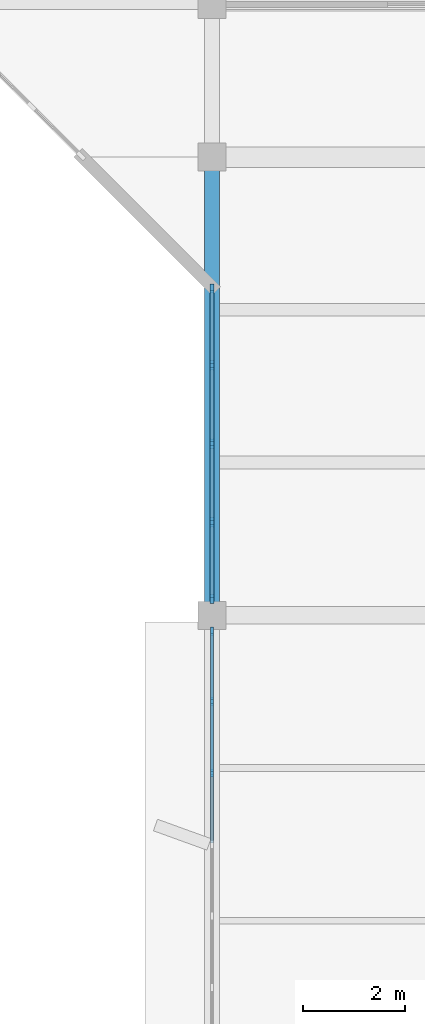
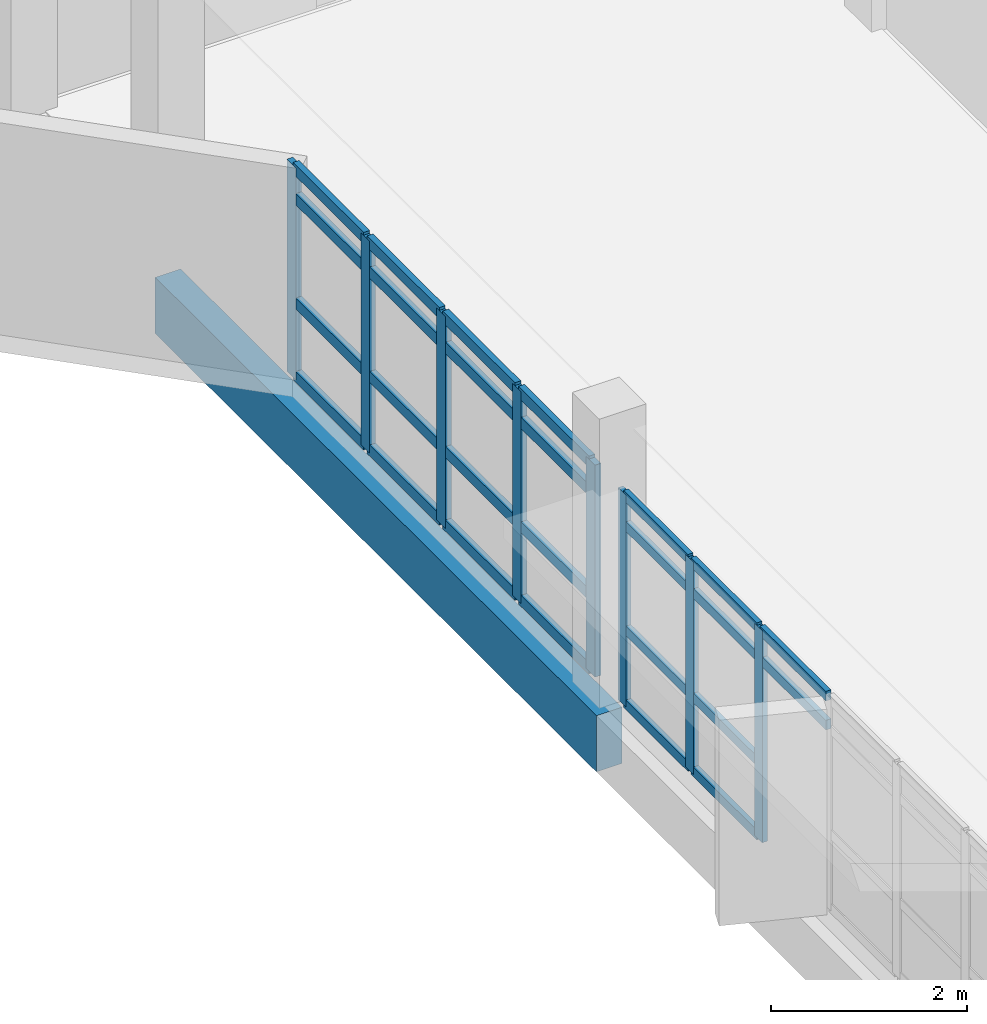
# One storey, part 8 of 51: 34 members, 1 beam, 2 elements without a shape of their own.
"""IFC4 building model written with IfcOpenShell, lengths in metres."""

import ifcopenshell
import ifcopenshell.guid

model = None  # the IFC model being written
_history = None  # IfcOwnerHistory: only IFC2X3 demands one
_inside = {}  # id of a spatial element -> (the spatial element, [elements in it])
_under = {}  # id of a project, library or spatial element -> (it, [spatial elements below it])
_declared = {}  # id of a project -> (the project, [libraries it declares])
_typed = {}  # id of a type object -> (the type object, [elements of that type])
_made_of = {}  # id of a material, layer set ... -> (it, [elements and type objects made of it])


def new_model(schema):
    """Start an empty IFC model of exactly this schema.

    Asked for "IFC4X3", IfcOpenShell would pick the latest addendum, in which some entities
    have other attributes; the version numbers below select the first issue.
    IFC2X3 requires an IfcOwnerHistory on every rooted entity: one is made here for all.
    """
    global model, _history
    if schema == "IFC4X3":
        model = ifcopenshell.file(schema_version=(4, 3, 0, 0))
    else:
        model = ifcopenshell.file(schema=schema)
    _inside.clear()
    _under.clear()
    _declared.clear()
    _typed.clear()
    _made_of.clear()
    _history = None
    if model.schema == "IFC2X3":
        org = make("IfcOrganization", Name="unknown")
        user = make(
            "IfcPersonAndOrganization",
            ThePerson=make("IfcPerson", FamilyName="unknown"),
            TheOrganization=org,
        )
        app = make(
            "IfcApplication",
            ApplicationDeveloper=org,
            Version="unknown",
            ApplicationFullName="unknown",
            ApplicationIdentifier="unknown",
        )
        _history = make(
            "IfcOwnerHistory",
            OwningUser=user,
            OwningApplication=app,
            ChangeAction="ADDED",
            CreationDate=0,
        )
    return model


def make(cls, **values):
    """One entity of the class cls with the attributes given. An attribute that is None is left unset."""
    return model.create_entity(
        cls, **{name: value for name, value in values.items() if value is not None}
    )


def rooted(cls, **values):
    """An entity with a GlobalId (a new one), such as an element, a storey or a relation."""
    return make(cls, GlobalId=ifcopenshell.guid.new(), OwnerHistory=_history, **values)


def si_unit(unit_type, name, prefix=None):
    """IfcSIUnit, for example si_unit("LENGTHUNIT", "METRE", prefix="MILLI")."""
    return make("IfcSIUnit", UnitType=unit_type, Prefix=prefix, Name=name)


def assignment(units):
    """IfcUnitAssignment: the units of a project."""
    return None if units is None else make("IfcUnitAssignment", Units=units)


def point(xyz):
    """IfcCartesianPoint."""
    return None if xyz is None else make("IfcCartesianPoint", Coordinates=xyz)


def direction(xyz):
    """IfcDirection."""
    return None if xyz is None else make("IfcDirection", DirectionRatios=xyz)


def frame(location, z_axis=None, x_axis=None):
    """IfcAxis2Placement3D, a coordinate frame: its origin and axes. An axis left out is left unset."""
    return make(
        "IfcAxis2Placement3D",
        Location=point(location),
        Axis=direction(z_axis),
        RefDirection=direction(x_axis),
    )


def frame_2d(location, x_axis=None):
    """IfcAxis2Placement2D, a coordinate frame in the plane: its origin and x axis."""
    return make(
        "IfcAxis2Placement2D", Location=point(location), RefDirection=direction(x_axis)
    )


def origin():
    """The frame at (0, 0, 0) with its axes left unset."""
    return frame((0.0, 0.0, 0.0))


def origin_2d():
    """The frame at (0, 0) in the plane with its x axis left unset."""
    return frame_2d((0.0, 0.0))


def place(relative_to, where):
    """IfcLocalPlacement: puts the frame where relative to a parent placement (None: the world)."""
    return make(
        "IfcLocalPlacement", PlacementRelTo=relative_to, RelativePlacement=where
    )


def context(
    kind, dimensions, precision=None, world=None, true_north=None, identifier=None
):
    """IfcGeometricRepresentationContext, for example the 3D "Model" context."""
    return make(
        "IfcGeometricRepresentationContext",
        ContextIdentifier=identifier,
        ContextType=kind,
        CoordinateSpaceDimension=dimensions,
        Precision=precision,
        WorldCoordinateSystem=world,
        TrueNorth=true_north,
    )


def subcontext(parent, identifier, kind, view, scale=None):
    """IfcGeometricRepresentationSubContext, for example "Body" below "Model"."""
    return make(
        "IfcGeometricRepresentationSubContext",
        ContextIdentifier=identifier,
        ContextType=kind,
        ParentContext=parent,
        TargetScale=scale,
        TargetView=view,
    )


def project(units=None, contexts=None):
    """IfcProject with its units and contexts."""
    return rooted(
        "IfcProject",
        Name="project",
        RepresentationContexts=contexts,
        UnitsInContext=assignment(units),
    )


def spatial(cls, under=None, at=None, **own):
    """A site, building, storey or space (cls), placed at a placement, below another one or the project."""
    s = rooted(cls, ObjectPlacement=at, **own)
    if under is not None:
        _under.setdefault(under.id(), (under, []))[1].append(s)
    return s


def profile(cls, at=None, kind="AREA", **sizes):
    """A parametric profile (cls). Its sizes go by their IFC names, for example OverallWidth=200.0."""
    return make(cls, ProfileType=kind, Position=at, **sizes)


def rectangle(**sizes):
    """IfcRectangleProfileDef."""
    return profile("IfcRectangleProfileDef", **sizes)


def extrude(swept, where, along, depth):
    """IfcExtrudedAreaSolid: the profile swept, set in the frame where, extruded along a direction by depth."""
    return make(
        "IfcExtrudedAreaSolid",
        SweptArea=swept,
        Position=where,
        ExtrudedDirection=direction(along),
        Depth=depth,
    )


def shape(context_of_items, identifier, shape_type, items):
    """IfcShapeRepresentation: the items that make up one representation, for example the "Body"."""
    return make(
        "IfcShapeRepresentation",
        ContextOfItems=context_of_items,
        RepresentationIdentifier=identifier,
        RepresentationType=shape_type,
        Items=items,
    )


def material(Name=None, Category=None):
    """IfcMaterial."""
    return make("IfcMaterial", Name=Name, Category=Category)


def material_profile(
    of_material, cross_section, Name=None, Category=None, Priority=None
):
    """IfcMaterialProfile: a cross section and its material."""
    return make(
        "IfcMaterialProfile",
        Name=Name,
        Material=of_material,
        Profile=cross_section,
        Priority=Priority,
        Category=Category,
    )


def profile_set(profiles, Name=None, composite=None):
    """IfcMaterialProfileSet."""
    return make(
        "IfcMaterialProfileSet",
        Name=Name,
        MaterialProfiles=profiles,
        CompositeProfile=composite,
    )


def made_of(thing, what):
    """Note that an element or type object is made of a material, layer set ...; save() writes the relation."""
    if what is not None:
        _made_of.setdefault(what.id(), (what, []))[1].append(thing)
    return thing


def type_object(cls, material=None, **own):
    """A type object (cls), such as IfcWallType, which elements share."""
    return made_of(rooted(cls, **own), material)


def element(
    cls,
    number,
    at=None,
    inside=None,
    cuts=None,
    type_object=None,
    material=None,
    context=None,
    identifier="Body",
    shape_type=None,
    held_by="IfcProductDefinitionShape",
    body=None,
    shapes=None,
    **own,
):
    """One element of the class cls, such as IfcWall. Its Tag is "e" and its number.

    at: its placement. inside: the storey or other place that contains it. cuts: it is an
    opening in that element (IfcRelVoidsElement). A single representation is given by context,
    identifier, shape_type and body (its items); several are given by shapes. held_by: the class
    of the entity that holds the representations. save() writes the other relations.
    """
    e = rooted(cls, Tag="e%d" % number, ObjectPlacement=at, **own)
    if body is not None:
        shapes = [shape(context, identifier, shape_type, body)]
    if shapes is not None:
        e.Representation = make(held_by, Representations=shapes)
    if inside is not None:
        _inside.setdefault(inside.id(), (inside, []))[1].append(e)
    if cuts is not None:
        rooted(
            "IfcRelVoidsElement", RelatingBuildingElement=cuts, RelatedOpeningElement=e
        )
    if type_object is not None:
        _typed.setdefault(type_object.id(), (type_object, []))[1].append(e)
    return made_of(e, material)


def aggregate(whole, parts):
    """IfcRelAggregates: a whole, such as a stair, and the parts it consists of."""
    return rooted("IfcRelAggregates", RelatingObject=whole, RelatedObjects=parts)


def save(model, path):
    """Write the relations noted so far, then the file.

    IfcRelAggregates (storeys below a building ...), IfcRelContainedInSpatialStructure (elements
    in a storey), IfcRelDefinesByType, IfcRelAssociatesMaterial and IfcRelDeclares: one each for
    every whole, place, type object, material and project.
    """
    for whole, parts in _under.values():
        aggregate(whole, parts)
    for where, things in _inside.values():
        rooted(
            "IfcRelContainedInSpatialStructure",
            RelatedElements=things,
            RelatingStructure=where,
        )
    for kind, things in _typed.values():
        rooted("IfcRelDefinesByType", RelatedObjects=things, RelatingType=kind)
    for what, things in _made_of.values():
        rooted("IfcRelAssociatesMaterial", RelatedObjects=things, RelatingMaterial=what)
    for by, libraries in _declared.values():
        rooted("IfcRelDeclares", RelatingContext=by, RelatedDefinitions=libraries)
    model.write(path)


model = new_model("IFC4")

# Units and contexts
model_context = context("Model", 3, precision=1e-05, world=origin(), true_north=direction((0.0, 1.0)))
body_context = subcontext(model_context, "Body", "Model", "MODEL_VIEW")
ifc_project = project(units=[si_unit("LENGTHUNIT", "METRE"), si_unit("AREAUNIT", "SQUARE_METRE"), si_unit("VOLUMEUNIT", "CUBIC_METRE"), si_unit("PLANEANGLEUNIT", "RADIAN"), si_unit("MASSUNIT", "GRAM", prefix="KILO")], contexts=[model_context])

# Site, building, storey
site_placement = place(None, origin())
site = spatial("IfcSite", under=ifc_project, at=site_placement, CompositionType="ELEMENT")
building_placement = place(site_placement, origin())
building = spatial("IfcBuilding", under=site, at=building_placement, Name="Vanh Quang Courtyard School", CompositionType="ELEMENT")
storey_placement = place(building_placement, frame((0.0, 0.0, 11.39990234375)))
storey = spatial("IfcBuildingStorey", under=building, at=storey_placement, Name="L03", CompositionType="ELEMENT", Elevation=11.39990234375)

# Beam
ifc_material_1 = material(Name="Concrete C35/45", Category="concrete")
ifc_material_profile_1 = material_profile(ifc_material_1, rectangle(XDim=0.300048828125, YDim=0.699951171875, at=origin_2d()), Name="RC-SP 300x700")
ifc_profile_set_1 = profile_set([ifc_material_profile_1], Name="Concrete C35/45")
beam_type = type_object("IfcBeamType", Name="BM-SP-300x700", PredefinedType="SPANDREL", material=ifc_profile_set_1)
beam_placement = place(storey_placement, frame((66.0, 59.39990234375, -0.64990234375), z_axis=(0.0, 1.0, 0.0), x_axis=(-1.0, 0.0, 0.0)))
element("IfcBeam", 1, at=beam_placement, inside=storey, type_object=beam_type, Name="Beam BS-01 (L03)", PredefinedType="SPANDREL", context=body_context, shape_type="SweptSolid", body=[
    extrude(rectangle(XDim=0.300048828125, YDim=0.699951171875, at=origin_2d()), origin(), (0.0, 0.0, 1.0), 9.0),
])

# Curtain wall, members
ifc_material_2 = material(Name="Thermally broken aluminium unitised curtain wall", Category="aluminium")
curtain_wall_type_1 = type_object("IfcCurtainWallType", Name="CW-SYS-48", PredefinedType="NOTDEFINED", material=ifc_material_2)
curtain_wall_1_placement = place(storey_placement, origin())
curtain_wall_1 = element("IfcCurtainWall", 2, at=curtain_wall_1_placement, inside=storey, type_object=curtain_wall_type_1, Name="Curtain Wall CW-48 (L03)", PredefinedType="NOTDEFINED")
ifc_material_3 = material(Name="Anodised aluminium 6063-T6", Category="aluminium")
ifc_material_profile_2 = material_profile(ifc_material_3, rectangle(XDim=0.06005859375, YDim=0.159912109375, at=origin_2d()), Name="ALU-MUL 60x160")
ifc_profile_set_2 = profile_set([ifc_material_profile_2], Name="Anodised aluminium 6063-T6")
member_type_1 = type_object("IfcMemberType", Name="CW-MUL-60x160", PredefinedType="MULLION", material=ifc_profile_set_2)
member_1_placement = place(storey_placement, frame((66.0, 56.3056640625, 0.0), z_axis=(0.0, 0.0, 1.0), x_axis=(-1.0, 0.0, 0.0)))
member_1 = element("IfcMember", 3, at=member_1_placement, type_object=member_type_1, Name="CW-48 mullion 5", PredefinedType="MULLION", context=body_context, shape_type="SweptSolid", body=[
    extrude(rectangle(XDim=0.06005859375, YDim=0.159912109375, at=origin_2d()), origin(), (0.0, 0.0, 1.0), 2.64013671875),
])
member_2_placement = place(storey_placement, frame((66.0, 57.71142578125, 0.0), z_axis=(0.0, 0.0, 1.0), x_axis=(-1.0, 0.0, 0.0)))
member_2 = element("IfcMember", 4, at=member_2_placement, type_object=member_type_1, Name="CW-48 mullion 6", PredefinedType="MULLION", context=body_context, shape_type="SweptSolid", body=[
    extrude(rectangle(XDim=0.06005859375, YDim=0.159912109375, at=origin_2d()), origin(), (0.0, 0.0, 1.0), 2.64013671875),
])
member_3_placement = place(storey_placement, frame((66.0, 59.0869140625, 0.0), z_axis=(0.0, 0.0, 1.0), x_axis=(-1.0, 0.0, 0.0)))
member_3 = element("IfcMember", 5, at=member_3_placement, type_object=member_type_1, Name="CW-48 mullion 7", PredefinedType="MULLION", context=body_context, shape_type="SweptSolid", body=[
    extrude(rectangle(XDim=0.06005859375, YDim=0.159912109375, at=origin_2d()), origin(), (0.0, 0.0, 1.0), 2.64013671875),
])

curtain_wall_type_2 = type_object("IfcCurtainWallType", Name="CW-SYS-44", PredefinedType="NOTDEFINED", material=ifc_material_2)
curtain_wall_2_placement = place(storey_placement, origin())
curtain_wall_2 = element("IfcCurtainWall", 6, at=curtain_wall_2_placement, inside=storey, type_object=curtain_wall_type_2, Name="Curtain Wall CW-44 (L03)", PredefinedType="NOTDEFINED")
ifc_material_profile_3 = material_profile(ifc_material_3, rectangle(XDim=0.070068359375, YDim=0.179931640625, at=origin_2d()), Name="ALU-MUL 70x180")
ifc_profile_set_3 = profile_set([ifc_material_profile_3], Name="Anodised aluminium 6063-T6")
member_type_2 = type_object("IfcMemberType", Name="CW-MUL-70x180", PredefinedType="MULLION", material=ifc_profile_set_3)
member_4_placement = place(storey_placement, frame((66.0, 59.718017578125, 0.0), z_axis=(0.0, 0.0, 1.0), x_axis=(-1.0, 0.0, 0.0)))
member_4 = element("IfcMember", 7, at=member_4_placement, type_object=member_type_2, Name="CW-44 mullion 1", PredefinedType="MULLION", context=body_context, shape_type="SweptSolid", body=[
    extrude(rectangle(XDim=0.070068359375, YDim=0.179931640625, at=origin_2d()), origin(), (0.0, 0.0, 1.0), 2.64013671875),
])
member_5_placement = place(storey_placement, frame((66.0, 61.226318359375, 0.0), z_axis=(0.0, 0.0, 1.0), x_axis=(-1.0, 0.0, 0.0)))
member_5 = element("IfcMember", 8, at=member_5_placement, type_object=member_type_2, Name="CW-44 mullion 2", PredefinedType="MULLION", context=body_context, shape_type="SweptSolid", body=[
    extrude(rectangle(XDim=0.070068359375, YDim=0.179931640625, at=origin_2d()), origin(), (0.0, 0.0, 1.0), 2.64013671875),
])
member_6_placement = place(storey_placement, frame((66.0, 62.76953125, 0.0), z_axis=(0.0, 0.0, 1.0), x_axis=(-1.0, 0.0, 0.0)))
member_6 = element("IfcMember", 9, at=member_6_placement, type_object=member_type_2, Name="CW-44 mullion 3", PredefinedType="MULLION", context=body_context, shape_type="SweptSolid", body=[
    extrude(rectangle(XDim=0.070068359375, YDim=0.179931640625, at=origin_2d()), origin(), (0.0, 0.0, 1.0), 2.64013671875),
])
member_7_placement = place(storey_placement, frame((66.0, 64.312744140625, 0.0), z_axis=(0.0, 0.0, 1.0), x_axis=(-1.0, 0.0, 0.0)))
member_7 = element("IfcMember", 10, at=member_7_placement, type_object=member_type_2, Name="CW-44 mullion 4", PredefinedType="MULLION", context=body_context, shape_type="SweptSolid", body=[
    extrude(rectangle(XDim=0.070068359375, YDim=0.179931640625, at=origin_2d()), origin(), (0.0, 0.0, 1.0), 2.64013671875),
])
member_8_placement = place(storey_placement, frame((66.0, 65.821044921875, 0.0), z_axis=(0.0, 0.0, 1.0), x_axis=(-1.0, 0.0, 0.0)))
member_8 = element("IfcMember", 11, at=member_8_placement, type_object=member_type_2, Name="CW-44 mullion 5", PredefinedType="MULLION", context=body_context, shape_type="SweptSolid", body=[
    extrude(rectangle(XDim=0.070068359375, YDim=0.179931640625, at=origin_2d()), origin(), (0.0, 0.0, 1.0), 2.64013671875),
])

# Member
ifc_material_profile_4 = material_profile(ifc_material_3, rectangle(XDim=0.06005859375, YDim=0.1201171875, at=origin_2d()), Name="ALU-TRN 60x120")
ifc_profile_set_4 = profile_set([ifc_material_profile_4], Name="Anodised aluminium 6063-T6")
member_type_3 = type_object("IfcMemberType", Name="CW-TRN-60x120", PredefinedType="USERDEFINED", material=ifc_profile_set_4)
member_9_placement = place(storey_placement, frame((66.0, 54.929931640625, 2.25), z_axis=(0.0, 1.0, 0.0), x_axis=(-1.0, 0.0, 0.0)))
member_9 = element("IfcMember", 12, at=member_9_placement, type_object=member_type_3, Name="CW-48 transom 4.3", ObjectType="TRANSOM", PredefinedType="USERDEFINED", context=body_context, shape_type="SweptSolid", body=[
    extrude(rectangle(XDim=0.06005859375, YDim=0.1201171875, at=origin_2d()), origin(), (0.0, 0.0, 1.0), 1.345703125),
])

member_10_placement = place(storey_placement, frame((66.0, 54.929931640625, 2.610107421875), z_axis=(0.0, 1.0, 0.0), x_axis=(-1.0, 0.0, 0.0)))
member_10 = element("IfcMember", 13, at=member_10_placement, type_object=member_type_3, Name="CW-48 transom 4.4", ObjectType="TRANSOM", PredefinedType="USERDEFINED", context=body_context, shape_type="SweptSolid", body=[
    extrude(rectangle(XDim=0.06005859375, YDim=0.1201171875, at=origin_2d()), origin(), (0.0, 0.0, 1.0), 1.345703125),
])

member_11_placement = place(storey_placement, frame((66.0, 56.335693359375, 0.030029296875), z_axis=(0.0, 1.0, 0.0), x_axis=(-1.0, 0.0, 0.0)))
member_11 = element("IfcMember", 14, at=member_11_placement, type_object=member_type_3, Name="CW-48 transom 5.1", ObjectType="TRANSOM", PredefinedType="USERDEFINED", context=body_context, shape_type="SweptSolid", body=[
    extrude(rectangle(XDim=0.06005859375, YDim=0.1201171875, at=origin_2d()), origin(), (0.0, 0.0, 1.0), 1.345703125),
])

member_12_placement = place(storey_placement, frame((66.0, 56.335693359375, 0.9501953125), z_axis=(0.0, 1.0, 0.0), x_axis=(-1.0, 0.0, 0.0)))
member_12 = element("IfcMember", 15, at=member_12_placement, type_object=member_type_3, Name="CW-48 transom 5.2", ObjectType="TRANSOM", PredefinedType="USERDEFINED", context=body_context, shape_type="SweptSolid", body=[
    extrude(rectangle(XDim=0.06005859375, YDim=0.1201171875, at=origin_2d()), origin(), (0.0, 0.0, 1.0), 1.345703125),
])

member_13_placement = place(storey_placement, frame((66.0, 56.335693359375, 2.25), z_axis=(0.0, 1.0, 0.0), x_axis=(-1.0, 0.0, 0.0)))
member_13 = element("IfcMember", 16, at=member_13_placement, type_object=member_type_3, Name="CW-48 transom 5.3", ObjectType="TRANSOM", PredefinedType="USERDEFINED", context=body_context, shape_type="SweptSolid", body=[
    extrude(rectangle(XDim=0.06005859375, YDim=0.1201171875, at=origin_2d()), origin(), (0.0, 0.0, 1.0), 1.345703125),
])

member_14_placement = place(storey_placement, frame((66.0, 56.335693359375, 2.610107421875), z_axis=(0.0, 1.0, 0.0), x_axis=(-1.0, 0.0, 0.0)))
member_14 = element("IfcMember", 17, at=member_14_placement, type_object=member_type_3, Name="CW-48 transom 5.4", ObjectType="TRANSOM", PredefinedType="USERDEFINED", context=body_context, shape_type="SweptSolid", body=[
    extrude(rectangle(XDim=0.06005859375, YDim=0.1201171875, at=origin_2d()), origin(), (0.0, 0.0, 1.0), 1.345703125),
])

member_15_placement = place(storey_placement, frame((66.0, 57.741455078125, 0.030029296875), z_axis=(0.0, 1.0, 0.0), x_axis=(-1.0, 0.0, 0.0)))
member_15 = element("IfcMember", 18, at=member_15_placement, type_object=member_type_3, Name="CW-48 transom 6.1", ObjectType="TRANSOM", PredefinedType="USERDEFINED", context=body_context, shape_type="SweptSolid", body=[
    extrude(rectangle(XDim=0.06005859375, YDim=0.1201171875, at=origin_2d()), origin(), (0.0, 0.0, 1.0), 1.3154296875),
])

member_16_placement = place(storey_placement, frame((66.0, 57.741455078125, 0.9501953125), z_axis=(0.0, 1.0, 0.0), x_axis=(-1.0, 0.0, 0.0)))
member_16 = element("IfcMember", 19, at=member_16_placement, type_object=member_type_3, Name="CW-48 transom 6.2", ObjectType="TRANSOM", PredefinedType="USERDEFINED", context=body_context, shape_type="SweptSolid", body=[
    extrude(rectangle(XDim=0.06005859375, YDim=0.1201171875, at=origin_2d()), origin(), (0.0, 0.0, 1.0), 1.3154296875),
])

member_17_placement = place(storey_placement, frame((66.0, 57.741455078125, 2.25), z_axis=(0.0, 1.0, 0.0), x_axis=(-1.0, 0.0, 0.0)))
member_17 = element("IfcMember", 20, at=member_17_placement, type_object=member_type_3, Name="CW-48 transom 6.3", ObjectType="TRANSOM", PredefinedType="USERDEFINED", context=body_context, shape_type="SweptSolid", body=[
    extrude(rectangle(XDim=0.06005859375, YDim=0.1201171875, at=origin_2d()), origin(), (0.0, 0.0, 1.0), 1.3154296875),
])

member_18_placement = place(storey_placement, frame((66.0, 57.741455078125, 2.610107421875), z_axis=(0.0, 1.0, 0.0), x_axis=(-1.0, 0.0, 0.0)))
member_18 = element("IfcMember", 21, at=member_18_placement, type_object=member_type_3, Name="CW-48 transom 6.4", ObjectType="TRANSOM", PredefinedType="USERDEFINED", context=body_context, shape_type="SweptSolid", body=[
    extrude(rectangle(XDim=0.06005859375, YDim=0.1201171875, at=origin_2d()), origin(), (0.0, 0.0, 1.0), 1.3154296875),
])

aggregate(curtain_wall_1, [member_1, member_2, member_3, member_9, member_10, member_11, member_12, member_13, member_14, member_15, member_16, member_17, member_18])

ifc_material_profile_5 = material_profile(ifc_material_3, rectangle(XDim=0.070068359375, YDim=0.139892578125, at=origin_2d()), Name="ALU-TRN 70x140")
ifc_profile_set_5 = profile_set([ifc_material_profile_5], Name="Anodised aluminium 6063-T6")
member_type_4 = type_object("IfcMemberType", Name="CW-TRN-70x140", PredefinedType="USERDEFINED", material=ifc_profile_set_5)
member_19_placement = place(storey_placement, frame((66.0, 59.7529296875, 0.03515625), z_axis=(0.0, 1.0, 0.0), x_axis=(-1.0, 0.0, 0.0)))
member_19 = element("IfcMember", 22, at=member_19_placement, type_object=member_type_4, Name="CW-44 transom 1.1", ObjectType="TRANSOM", PredefinedType="USERDEFINED", context=body_context, shape_type="SweptSolid", body=[
    extrude(rectangle(XDim=0.070068359375, YDim=0.139892578125, at=origin_2d()), origin(), (0.0, 0.0, 1.0), 1.438232421875),
])

member_20_placement = place(storey_placement, frame((66.0, 59.7529296875, 0.9501953125), z_axis=(0.0, 1.0, 0.0), x_axis=(-1.0, 0.0, 0.0)))
member_20 = element("IfcMember", 23, at=member_20_placement, type_object=member_type_4, Name="CW-44 transom 1.2", ObjectType="TRANSOM", PredefinedType="USERDEFINED", context=body_context, shape_type="SweptSolid", body=[
    extrude(rectangle(XDim=0.070068359375, YDim=0.139892578125, at=origin_2d()), origin(), (0.0, 0.0, 1.0), 1.438232421875),
])

member_21_placement = place(storey_placement, frame((66.0, 59.7529296875, 2.25), z_axis=(0.0, 1.0, 0.0), x_axis=(-1.0, 0.0, 0.0)))
member_21 = element("IfcMember", 24, at=member_21_placement, type_object=member_type_4, Name="CW-44 transom 1.3", ObjectType="TRANSOM", PredefinedType="USERDEFINED", context=body_context, shape_type="SweptSolid", body=[
    extrude(rectangle(XDim=0.070068359375, YDim=0.139892578125, at=origin_2d()), origin(), (0.0, 0.0, 1.0), 1.438232421875),
])

member_22_placement = place(storey_placement, frame((66.0, 59.7529296875, 2.60498046875), z_axis=(0.0, 1.0, 0.0), x_axis=(-1.0, 0.0, 0.0)))
member_22 = element("IfcMember", 25, at=member_22_placement, type_object=member_type_4, Name="CW-44 transom 1.4", ObjectType="TRANSOM", PredefinedType="USERDEFINED", context=body_context, shape_type="SweptSolid", body=[
    extrude(rectangle(XDim=0.070068359375, YDim=0.139892578125, at=origin_2d()), origin(), (0.0, 0.0, 1.0), 1.438232421875),
])

member_23_placement = place(storey_placement, frame((66.0, 61.26123046875, 0.03515625), z_axis=(0.0, 1.0, 0.0), x_axis=(-1.0, 0.0, 0.0)))
member_23 = element("IfcMember", 26, at=member_23_placement, type_object=member_type_4, Name="CW-44 transom 2.1", ObjectType="TRANSOM", PredefinedType="USERDEFINED", context=body_context, shape_type="SweptSolid", body=[
    extrude(rectangle(XDim=0.070068359375, YDim=0.139892578125, at=origin_2d()), origin(), (0.0, 0.0, 1.0), 1.473388671875),
])

member_24_placement = place(storey_placement, frame((66.0, 61.26123046875, 0.9501953125), z_axis=(0.0, 1.0, 0.0), x_axis=(-1.0, 0.0, 0.0)))
member_24 = element("IfcMember", 27, at=member_24_placement, type_object=member_type_4, Name="CW-44 transom 2.2", ObjectType="TRANSOM", PredefinedType="USERDEFINED", context=body_context, shape_type="SweptSolid", body=[
    extrude(rectangle(XDim=0.070068359375, YDim=0.139892578125, at=origin_2d()), origin(), (0.0, 0.0, 1.0), 1.473388671875),
])

member_25_placement = place(storey_placement, frame((66.0, 61.26123046875, 2.25), z_axis=(0.0, 1.0, 0.0), x_axis=(-1.0, 0.0, 0.0)))
member_25 = element("IfcMember", 28, at=member_25_placement, type_object=member_type_4, Name="CW-44 transom 2.3", ObjectType="TRANSOM", PredefinedType="USERDEFINED", context=body_context, shape_type="SweptSolid", body=[
    extrude(rectangle(XDim=0.070068359375, YDim=0.139892578125, at=origin_2d()), origin(), (0.0, 0.0, 1.0), 1.473388671875),
])

member_26_placement = place(storey_placement, frame((66.0, 61.26123046875, 2.60498046875), z_axis=(0.0, 1.0, 0.0), x_axis=(-1.0, 0.0, 0.0)))
member_26 = element("IfcMember", 29, at=member_26_placement, type_object=member_type_4, Name="CW-44 transom 2.4", ObjectType="TRANSOM", PredefinedType="USERDEFINED", context=body_context, shape_type="SweptSolid", body=[
    extrude(rectangle(XDim=0.070068359375, YDim=0.139892578125, at=origin_2d()), origin(), (0.0, 0.0, 1.0), 1.473388671875),
])

member_27_placement = place(storey_placement, frame((66.0, 62.804443359375, 0.03515625), z_axis=(0.0, 1.0, 0.0), x_axis=(-1.0, 0.0, 0.0)))
member_27 = element("IfcMember", 30, at=member_27_placement, type_object=member_type_4, Name="CW-44 transom 3.1", ObjectType="TRANSOM", PredefinedType="USERDEFINED", context=body_context, shape_type="SweptSolid", body=[
    extrude(rectangle(XDim=0.070068359375, YDim=0.139892578125, at=origin_2d()), origin(), (0.0, 0.0, 1.0), 1.473388671875),
])

member_28_placement = place(storey_placement, frame((66.0, 62.804443359375, 0.9501953125), z_axis=(0.0, 1.0, 0.0), x_axis=(-1.0, 0.0, 0.0)))
member_28 = element("IfcMember", 31, at=member_28_placement, type_object=member_type_4, Name="CW-44 transom 3.2", ObjectType="TRANSOM", PredefinedType="USERDEFINED", context=body_context, shape_type="SweptSolid", body=[
    extrude(rectangle(XDim=0.070068359375, YDim=0.139892578125, at=origin_2d()), origin(), (0.0, 0.0, 1.0), 1.473388671875),
])

member_29_placement = place(storey_placement, frame((66.0, 62.804443359375, 2.25), z_axis=(0.0, 1.0, 0.0), x_axis=(-1.0, 0.0, 0.0)))
member_29 = element("IfcMember", 32, at=member_29_placement, type_object=member_type_4, Name="CW-44 transom 3.3", ObjectType="TRANSOM", PredefinedType="USERDEFINED", context=body_context, shape_type="SweptSolid", body=[
    extrude(rectangle(XDim=0.070068359375, YDim=0.139892578125, at=origin_2d()), origin(), (0.0, 0.0, 1.0), 1.473388671875),
])

member_30_placement = place(storey_placement, frame((66.0, 62.804443359375, 2.60498046875), z_axis=(0.0, 1.0, 0.0), x_axis=(-1.0, 0.0, 0.0)))
member_30 = element("IfcMember", 33, at=member_30_placement, type_object=member_type_4, Name="CW-44 transom 3.4", ObjectType="TRANSOM", PredefinedType="USERDEFINED", context=body_context, shape_type="SweptSolid", body=[
    extrude(rectangle(XDim=0.070068359375, YDim=0.139892578125, at=origin_2d()), origin(), (0.0, 0.0, 1.0), 1.473388671875),
])

member_31_placement = place(storey_placement, frame((66.0, 64.34765625, 0.03515625), z_axis=(0.0, 1.0, 0.0), x_axis=(-1.0, 0.0, 0.0)))
member_31 = element("IfcMember", 34, at=member_31_placement, type_object=member_type_4, Name="CW-44 transom 4.1", ObjectType="TRANSOM", PredefinedType="USERDEFINED", context=body_context, shape_type="SweptSolid", body=[
    extrude(rectangle(XDim=0.070068359375, YDim=0.139892578125, at=origin_2d()), origin(), (0.0, 0.0, 1.0), 1.438232421875),
])

member_32_placement = place(storey_placement, frame((66.0, 64.34765625, 0.9501953125), z_axis=(0.0, 1.0, 0.0), x_axis=(-1.0, 0.0, 0.0)))
member_32 = element("IfcMember", 35, at=member_32_placement, type_object=member_type_4, Name="CW-44 transom 4.2", ObjectType="TRANSOM", PredefinedType="USERDEFINED", context=body_context, shape_type="SweptSolid", body=[
    extrude(rectangle(XDim=0.070068359375, YDim=0.139892578125, at=origin_2d()), origin(), (0.0, 0.0, 1.0), 1.438232421875),
])

member_33_placement = place(storey_placement, frame((66.0, 64.34765625, 2.25), z_axis=(0.0, 1.0, 0.0), x_axis=(-1.0, 0.0, 0.0)))
member_33 = element("IfcMember", 36, at=member_33_placement, type_object=member_type_4, Name="CW-44 transom 4.3", ObjectType="TRANSOM", PredefinedType="USERDEFINED", context=body_context, shape_type="SweptSolid", body=[
    extrude(rectangle(XDim=0.070068359375, YDim=0.139892578125, at=origin_2d()), origin(), (0.0, 0.0, 1.0), 1.438232421875),
])

member_34_placement = place(storey_placement, frame((66.0, 64.34765625, 2.60498046875), z_axis=(0.0, 1.0, 0.0), x_axis=(-1.0, 0.0, 0.0)))
member_34 = element("IfcMember", 37, at=member_34_placement, type_object=member_type_4, Name="CW-44 transom 4.4", ObjectType="TRANSOM", PredefinedType="USERDEFINED", context=body_context, shape_type="SweptSolid", body=[
    extrude(rectangle(XDim=0.070068359375, YDim=0.139892578125, at=origin_2d()), origin(), (0.0, 0.0, 1.0), 1.438232421875),
])

aggregate(curtain_wall_2, [member_4, member_5, member_6, member_7, member_8, member_19, member_20, member_21, member_22, member_23, member_24, member_25, member_26, member_27, member_28, member_29, member_30, member_31, member_32, member_33, member_34])

save(model, "model.ifc")
